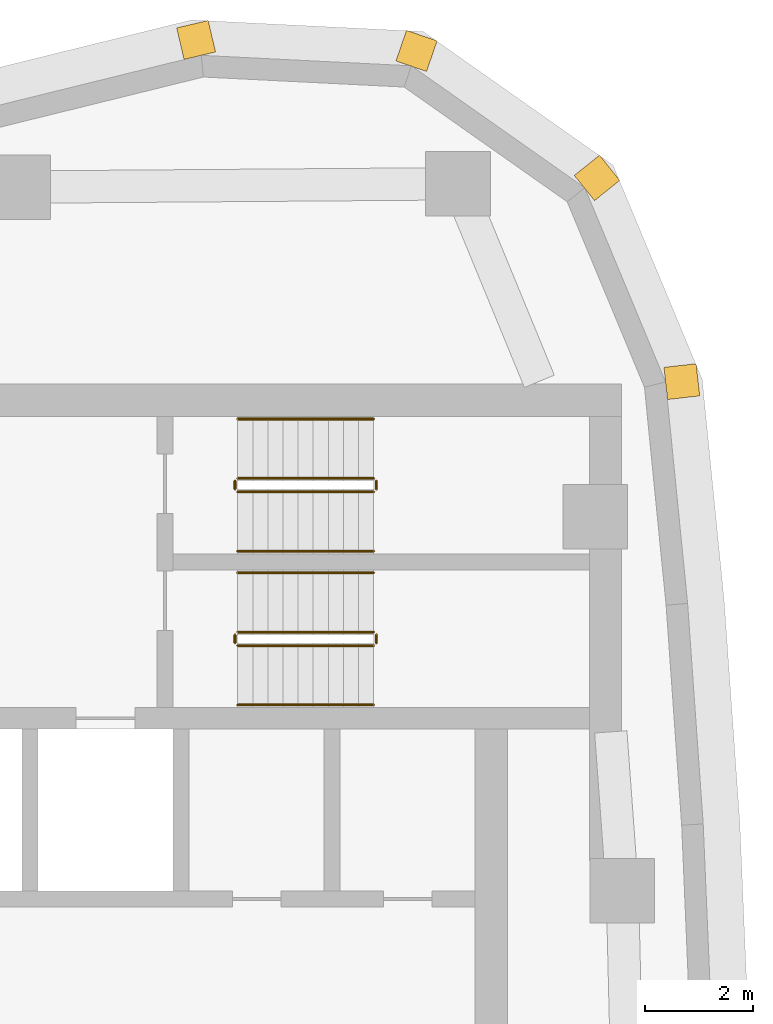
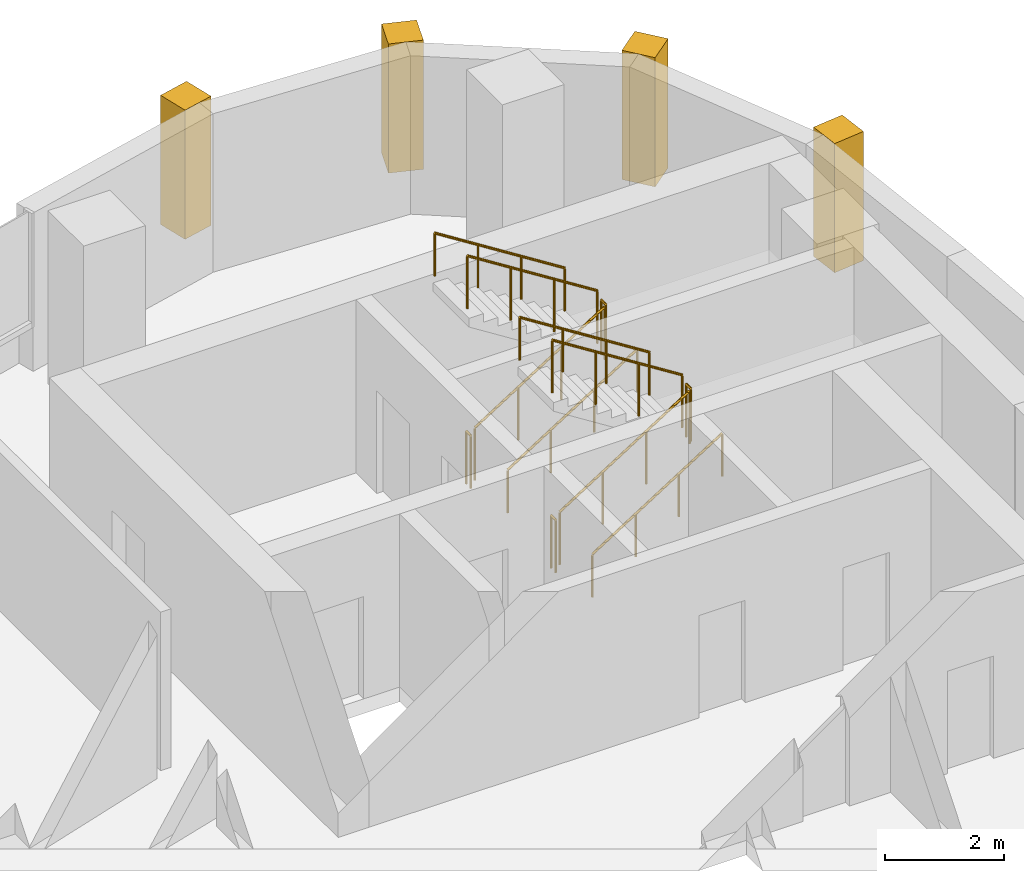
# One storey, part 15 of 15: 12 railings, 4 coverings.
"""IFC4 building model written with IfcOpenShell, lengths in metres."""

from ifc_helpers import new_model, si_unit, direction, frame, frame_2d, origin, origin_2d, place, context, subcontext, project, spatial, rectangle, circle, extrude, material, layer, layer_set, type_object, element, save


model = new_model("IFC4")

# Units and contexts
model_context = context("Model", 3, precision=1e-05, world=origin(), true_north=direction((0.0, 1.0)))
body_context = subcontext(model_context, "Body", "Model", "MODEL_VIEW")
ifc_project = project(units=[si_unit("LENGTHUNIT", "METRE"), si_unit("AREAUNIT", "SQUARE_METRE"), si_unit("VOLUMEUNIT", "CUBIC_METRE"), si_unit("PLANEANGLEUNIT", "RADIAN"), si_unit("MASSUNIT", "GRAM", prefix="KILO")], contexts=[model_context])

# Site, building, storey
site_placement = place(None, origin())
site = spatial("IfcSite", under=ifc_project, at=site_placement, CompositionType="ELEMENT")
building_placement = place(site_placement, origin())
building = spatial("IfcBuilding", under=site, at=building_placement, Name="Ostrand Prow Hotel Tower", CompositionType="ELEMENT")
storey_placement = place(building_placement, frame((0.0, 0.0, 238.550048828125)))
storey = spatial("IfcBuildingStorey", under=building, at=storey_placement, Name="L60", CompositionType="ELEMENT", Elevation=238.550048828125)

# Coverings
ifc_material_1 = material(Name="Limestone cladding", Category="masonry")
ifc_layer = layer(ifc_material_1, 0.60009765625)
ifc_layer_set = layer_set([ifc_layer], Name="Limestone cladding")
covering_type = type_object("IfcCoveringType", Name="Precast stone prow rib 600x600", PredefinedType="CLADDING", material=ifc_layer_set)
for number, where, z_axis, x_axis, name in (
    (1, (65.13623046875, 16.35986328125, 0.599853515625), (0.0, 0.0, 1.0), (0.993628058569, 0.112708833834, 0.0), "Stone corner rib 13a"),
    (2, (63.62744140625, 19.98291015625, 0.599853515625), (0.0, 0.0, 1.0), (0.779994736518, 0.625786074473, 0.0), "Stone corner rib 14a"),
    (3, (60.417236328125, 22.240966796875, 0.599853515625), (0.0, 0.0, 1.0), (0.325489086777, 0.945545797087, 0.0), "Stone corner rib 15a"),
    (4, (56.49755859375, 22.436279296875, 0.599853515625), (0.0, 0.0, 1.0), (-0.229878322855, 0.973219377469, 0.0), "Stone corner rib 15b"),
):
    element("IfcCovering", number, at=place(storey_placement, frame(where, z_axis=z_axis, x_axis=x_axis)), inside=storey, type_object=covering_type, Name=name, PredefinedType="CLADDING", context=body_context, shape_type="SweptSolid", body=[
        extrude(rectangle(XDim=0.60009765625, YDim=0.60009765625, at=frame_2d((0.300048828125, 0.0))), origin(), (0.0, 0.0, 1.0), 2.650146484375),
    ])

# Railings
ifc_material_2 = material(Name="Painted steel", Category="steel")
railing_type_1 = type_object("IfcRailingType", Name="Stair guard 1100", PredefinedType="GUARDRAIL", material=ifc_material_2)
railing_1_placement = place(storey_placement, frame((57.199951171875, 11.5, 0.177490234375)))
element("IfcRailing", 5, at=railing_1_placement, inside=storey, type_object=railing_type_1, Name="L60 ST1C stair guard 1", PredefinedType="GUARDRAIL", context=body_context, shape_type="SweptSolid", body=[
    extrude(circle(Radius=0.02392578125, at=origin_2d()), frame((0.0, 0.0, 1.076171875), z_axis=(0.84460694969, 0.0, 0.535386869969), x_axis=(0.0, 1.0, 0.0)), (0.0, 0.0, 1.0), 2.983642578125),
    extrude(circle(Radius=0.02099609375, at=origin_2d()), origin(), (0.0, 0.0, 1.0), 1.052001953125),
    extrude(circle(Radius=0.02099609375, at=origin_2d()), frame((0.840087890625, 0.0, 0.532470703125)), (0.0, 0.0, 1.0), 1.052001953125),
    extrude(circle(Radius=0.02099609375, at=origin_2d()), frame((1.679931640625, 0.0, 1.06494140625)), (0.0, 0.0, 1.0), 1.052001953125),
    extrude(circle(Radius=0.02099609375, at=origin_2d()), frame((2.52001953125, 0.0, 1.597412109375)), (0.0, 0.0, 1.0), 1.052001953125),
])
railing_2_placement = place(storey_placement, frame((59.77001953125, 11.550048828125, 1.77490234375)))
element("IfcRailing", 6, at=railing_2_placement, inside=storey, type_object=railing_type_1, Name="L60 ST1C stair guard 2", PredefinedType="GUARDRAIL", context=body_context, shape_type="SweptSolid", body=[
    extrude(circle(Radius=0.02392578125, at=origin_2d()), frame((0.0, 0.0, 1.076171875), z_axis=(0.0, 1.0, 0.0), x_axis=(-1.0, 0.0, 0.0)), (0.0, 0.0, 1.0), 0.14990234375),
    extrude(circle(Radius=0.02099609375, at=origin_2d()), origin(), (0.0, 0.0, 1.0), 1.052001953125),
    extrude(circle(Radius=0.02099609375, at=origin_2d()), frame((0.0, 0.14990234375, 0.0)), (0.0, 0.0, 1.0), 1.052001953125),
])
railing_3_placement = place(storey_placement, frame((59.719970703125, 11.75, 1.952392578125)))
element("IfcRailing", 7, at=railing_3_placement, inside=storey, type_object=railing_type_1, Name="L60 ST1C stair guard 3", PredefinedType="GUARDRAIL", context=body_context, shape_type="SweptSolid", body=[
    extrude(circle(Radius=0.02392578125, at=origin_2d()), frame((0.0, 0.0, 1.076171875), z_axis=(-0.84456994832, 0.0, 0.535445237532), x_axis=(0.0, -1.0, 0.0)), (0.0, 0.0, 1.0), 2.98388671875),
    extrude(circle(Radius=0.02099609375, at=origin_2d()), origin(), (0.0, 0.0, 1.0), 1.052001953125),
    extrude(circle(Radius=0.02099609375, at=origin_2d()), frame((-0.840087890625, 0.0, 0.532470703125)), (0.0, 0.0, 1.0), 1.052001953125),
    extrude(circle(Radius=0.02099609375, at=origin_2d()), frame((-1.679931640625, 0.0, 1.065185546875)), (0.0, 0.0, 1.0), 1.052001953125),
    extrude(circle(Radius=0.02099609375, at=origin_2d()), frame((-2.52001953125, 0.0, 1.59765625)), (0.0, 0.0, 1.0), 1.052001953125),
])
railing_4_placement = place(storey_placement, frame((57.14990234375, 11.550048828125, 0.0)))
element("IfcRailing", 8, at=railing_4_placement, inside=storey, type_object=railing_type_1, Name="L60 ST1C stair guard 4", PredefinedType="GUARDRAIL", context=body_context, shape_type="SweptSolid", body=[
    extrude(circle(Radius=0.02392578125, at=origin_2d()), frame((0.0, 0.0, 1.076171875), z_axis=(0.0, 1.0, 0.0), x_axis=(-1.0, 0.0, 0.0)), (0.0, 0.0, 1.0), 0.14990234375),
    extrude(circle(Radius=0.02099609375, at=origin_2d()), origin(), (0.0, 0.0, 1.0), 1.052001953125),
    extrude(circle(Radius=0.02099609375, at=origin_2d()), frame((0.0, 0.14990234375, 0.0)), (0.0, 0.0, 1.0), 1.052001953125),
])
railing_5_placement = place(storey_placement, frame((57.199951171875, 14.35009765625, 0.177490234375)))
element("IfcRailing", 9, at=railing_5_placement, inside=storey, type_object=railing_type_1, Name="L60 ST3C stair guard 1", PredefinedType="GUARDRAIL", context=body_context, shape_type="SweptSolid", body=[
    extrude(circle(Radius=0.02392578125, at=origin_2d()), frame((0.0, 0.0, 1.076171875), z_axis=(0.84460694969, 0.0, 0.535386869969), x_axis=(0.0, 1.0, 0.0)), (0.0, 0.0, 1.0), 2.983642578125),
    extrude(circle(Radius=0.02099609375, at=origin_2d()), origin(), (0.0, 0.0, 1.0), 1.052001953125),
    extrude(circle(Radius=0.02099609375, at=origin_2d()), frame((0.840087890625, 0.0, 0.532470703125)), (0.0, 0.0, 1.0), 1.052001953125),
    extrude(circle(Radius=0.02099609375, at=origin_2d()), frame((1.679931640625, 0.0, 1.06494140625)), (0.0, 0.0, 1.0), 1.052001953125),
    extrude(circle(Radius=0.02099609375, at=origin_2d()), frame((2.52001953125, 0.0, 1.597412109375)), (0.0, 0.0, 1.0), 1.052001953125),
])
railing_6_placement = place(storey_placement, frame((59.77001953125, 14.39990234375, 1.77490234375)))
element("IfcRailing", 10, at=railing_6_placement, inside=storey, type_object=railing_type_1, Name="L60 ST3C stair guard 2", PredefinedType="GUARDRAIL", context=body_context, shape_type="SweptSolid", body=[
    extrude(circle(Radius=0.02392578125, at=origin_2d()), frame((0.0, 0.0, 1.076171875), z_axis=(0.0, 1.0, 0.0), x_axis=(-1.0, 0.0, 0.0)), (0.0, 0.0, 1.0), 0.150146484375),
    extrude(circle(Radius=0.02099609375, at=origin_2d()), origin(), (0.0, 0.0, 1.0), 1.052001953125),
    extrude(circle(Radius=0.02099609375, at=origin_2d()), frame((0.0, 0.150146484375, 0.0)), (0.0, 0.0, 1.0), 1.052001953125),
])
railing_7_placement = place(storey_placement, frame((59.719970703125, 14.60009765625, 1.952392578125)))
element("IfcRailing", 11, at=railing_7_placement, inside=storey, type_object=railing_type_1, Name="L60 ST3C stair guard 3", PredefinedType="GUARDRAIL", context=body_context, shape_type="SweptSolid", body=[
    extrude(circle(Radius=0.02392578125, at=origin_2d()), frame((0.0, 0.0, 1.076171875), z_axis=(-0.84456994832, 0.0, 0.535445237532), x_axis=(0.0, -1.0, 0.0)), (0.0, 0.0, 1.0), 2.98388671875),
    extrude(circle(Radius=0.02099609375, at=origin_2d()), origin(), (0.0, 0.0, 1.0), 1.052001953125),
    extrude(circle(Radius=0.02099609375, at=origin_2d()), frame((-0.840087890625, 0.0, 0.532470703125)), (0.0, 0.0, 1.0), 1.052001953125),
    extrude(circle(Radius=0.02099609375, at=origin_2d()), frame((-1.679931640625, 0.0, 1.065185546875)), (0.0, 0.0, 1.0), 1.052001953125),
    extrude(circle(Radius=0.02099609375, at=origin_2d()), frame((-2.52001953125, 0.0, 1.59765625)), (0.0, 0.0, 1.0), 1.052001953125),
])
railing_8_placement = place(storey_placement, frame((57.14990234375, 14.39990234375, 0.0)))
element("IfcRailing", 12, at=railing_8_placement, inside=storey, type_object=railing_type_1, Name="L60 ST3C stair guard 4", PredefinedType="GUARDRAIL", context=body_context, shape_type="SweptSolid", body=[
    extrude(circle(Radius=0.02392578125, at=origin_2d()), frame((0.0, 0.0, 1.076171875), z_axis=(0.0, 1.0, 0.0), x_axis=(-1.0, 0.0, 0.0)), (0.0, 0.0, 1.0), 0.150146484375),
    extrude(circle(Radius=0.02099609375, at=origin_2d()), origin(), (0.0, 0.0, 1.0), 1.052001953125),
    extrude(circle(Radius=0.02099609375, at=origin_2d()), frame((0.0, 0.150146484375, 0.0)), (0.0, 0.0, 1.0), 1.052001953125),
])
ifc_material_3 = material(Name="Stainless steel", Category="steel")
railing_type_2 = type_object("IfcRailingType", Name="Stair handrail 900", PredefinedType="HANDRAIL", material=ifc_material_3)
railing_9_placement = place(storey_placement, frame((57.199951171875, 10.39990234375, 0.177490234375)))
element("IfcRailing", 13, at=railing_9_placement, inside=storey, type_object=railing_type_2, Name="L60 ST1C stair handrail 1", PredefinedType="HANDRAIL", context=body_context, shape_type="SweptSolid", body=[
    extrude(circle(Radius=0.02392578125, at=origin_2d()), frame((0.0, 0.0, 0.8759765625), z_axis=(0.84460694969, 0.0, 0.535386869969), x_axis=(0.0, 1.0, 0.0)), (0.0, 0.0, 1.0), 2.983642578125),
    extrude(circle(Radius=0.02099609375, at=origin_2d()), origin(), (0.0, 0.0, 1.0), 0.851806640625),
    extrude(circle(Radius=0.02099609375, at=origin_2d()), frame((0.840087890625, 0.0, 0.532470703125)), (0.0, 0.0, 1.0), 0.851806640625),
    extrude(circle(Radius=0.02099609375, at=origin_2d()), frame((1.679931640625, 0.0, 1.06494140625)), (0.0, 0.0, 1.0), 0.851806640625),
    extrude(circle(Radius=0.02099609375, at=origin_2d()), frame((2.52001953125, 0.0, 1.597412109375)), (0.0, 0.0, 1.0), 0.851806640625),
])
railing_10_placement = place(storey_placement, frame((59.719970703125, 12.85009765625, 1.952392578125)))
element("IfcRailing", 14, at=railing_10_placement, inside=storey, type_object=railing_type_2, Name="L60 ST1C stair handrail 2", PredefinedType="HANDRAIL", context=body_context, shape_type="SweptSolid", body=[
    extrude(circle(Radius=0.02392578125, at=origin_2d()), frame((0.0, 0.0, 0.8759765625), z_axis=(-0.84456994832, 0.0, 0.535445237532), x_axis=(0.0, -1.0, 0.0)), (0.0, 0.0, 1.0), 2.98388671875),
    extrude(circle(Radius=0.02099609375, at=origin_2d()), origin(), (0.0, 0.0, 1.0), 0.851806640625),
    extrude(circle(Radius=0.02099609375, at=origin_2d()), frame((-0.840087890625, 0.0, 0.532470703125)), (0.0, 0.0, 1.0), 0.851806640625),
    extrude(circle(Radius=0.02099609375, at=origin_2d()), frame((-1.679931640625, 0.0, 1.065185546875)), (0.0, 0.0, 1.0), 0.851806640625),
    extrude(circle(Radius=0.02099609375, at=origin_2d()), frame((-2.52001953125, 0.0, 1.59765625)), (0.0, 0.0, 1.0), 0.851806640625),
])
railing_11_placement = place(storey_placement, frame((57.199951171875, 13.25, 0.177490234375)))
element("IfcRailing", 15, at=railing_11_placement, inside=storey, type_object=railing_type_2, Name="L60 ST3C stair handrail 1", PredefinedType="HANDRAIL", context=body_context, shape_type="SweptSolid", body=[
    extrude(circle(Radius=0.02392578125, at=origin_2d()), frame((0.0, 0.0, 0.8759765625), z_axis=(0.84460694969, 0.0, 0.535386869969), x_axis=(0.0, 1.0, 0.0)), (0.0, 0.0, 1.0), 2.983642578125),
    extrude(circle(Radius=0.02099609375, at=origin_2d()), origin(), (0.0, 0.0, 1.0), 0.851806640625),
    extrude(circle(Radius=0.02099609375, at=origin_2d()), frame((0.840087890625, 0.0, 0.532470703125)), (0.0, 0.0, 1.0), 0.851806640625),
    extrude(circle(Radius=0.02099609375, at=origin_2d()), frame((1.679931640625, 0.0, 1.06494140625)), (0.0, 0.0, 1.0), 0.851806640625),
    extrude(circle(Radius=0.02099609375, at=origin_2d()), frame((2.52001953125, 0.0, 1.597412109375)), (0.0, 0.0, 1.0), 0.851806640625),
])
railing_12_placement = place(storey_placement, frame((59.719970703125, 15.699951171875, 1.952392578125)))
element("IfcRailing", 16, at=railing_12_placement, inside=storey, type_object=railing_type_2, Name="L60 ST3C stair handrail 2", PredefinedType="HANDRAIL", context=body_context, shape_type="SweptSolid", body=[
    extrude(circle(Radius=0.02392578125, at=origin_2d()), frame((0.0, 0.0, 0.8759765625), z_axis=(-0.84456994832, 0.0, 0.535445237532), x_axis=(0.0, -1.0, 0.0)), (0.0, 0.0, 1.0), 2.98388671875),
    extrude(circle(Radius=0.02099609375, at=origin_2d()), origin(), (0.0, 0.0, 1.0), 0.851806640625),
    extrude(circle(Radius=0.02099609375, at=origin_2d()), frame((-0.840087890625, 0.0, 0.532470703125)), (0.0, 0.0, 1.0), 0.851806640625),
    extrude(circle(Radius=0.02099609375, at=origin_2d()), frame((-1.679931640625, 0.0, 1.065185546875)), (0.0, 0.0, 1.0), 0.851806640625),
    extrude(circle(Radius=0.02099609375, at=origin_2d()), frame((-2.52001953125, 0.0, 1.59765625)), (0.0, 0.0, 1.0), 0.851806640625),
])

save(model, "model.ifc")
